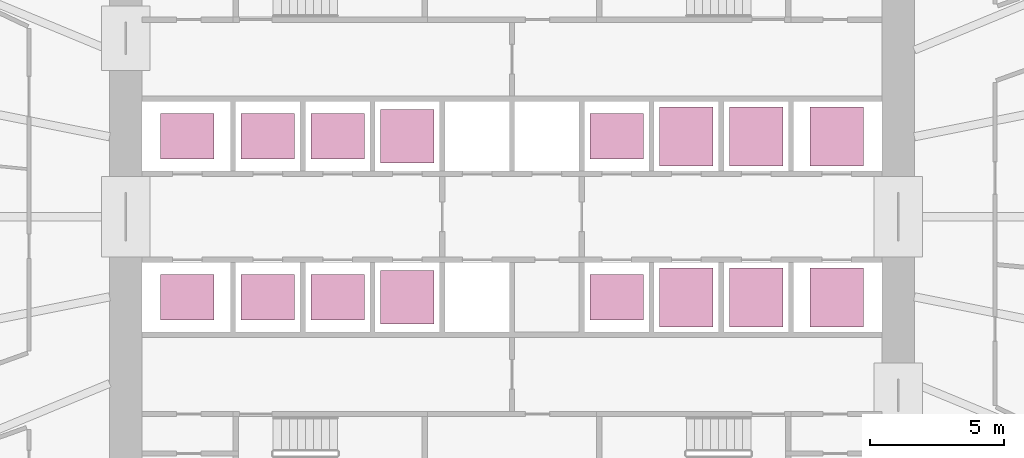
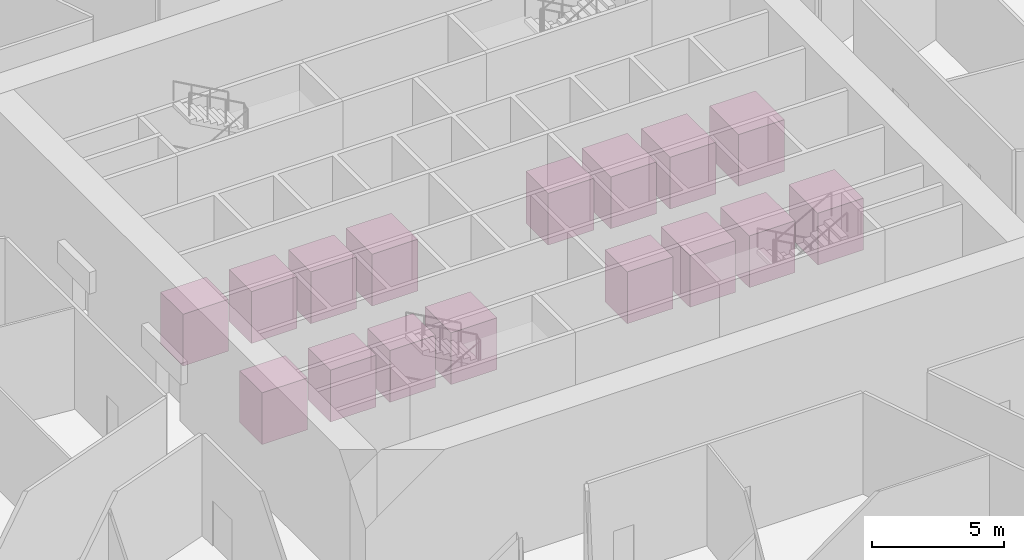
# One storey, part 33 of 33: 16 transport elements.
"""IFC4 building model written with IfcOpenShell, lengths in metres."""

from ifc_helpers import new_model, si_unit, direction, frame, origin, origin_2d, place, context, subcontext, project, spatial, rectangle, extrude, material, type_object, element, save


model = new_model("IFC4")

# Units and contexts
model_context = context("Model", 3, precision=1e-05, world=origin(), true_north=direction((0.0, 1.0)))
body_context = subcontext(model_context, "Body", "Model", "MODEL_VIEW")
ifc_project = project(units=[si_unit("LENGTHUNIT", "METRE"), si_unit("AREAUNIT", "SQUARE_METRE"), si_unit("VOLUMEUNIT", "CUBIC_METRE"), si_unit("PLANEANGLEUNIT", "RADIAN"), si_unit("MASSUNIT", "GRAM", prefix="KILO")], contexts=[model_context])

# Site, building, storey
site_placement = place(None, origin())
site = spatial("IfcSite", under=ifc_project, at=site_placement, CompositionType="ELEMENT")
building_placement = place(site_placement, origin())
building = spatial("IfcBuilding", under=site, at=building_placement, Name="Corvane Civic Tower", CompositionType="ELEMENT")
storey_placement = place(building_placement, origin())
storey = spatial("IfcBuildingStorey", under=building, at=storey_placement, Name="G", CompositionType="ELEMENT", Elevation=0.0)

# Transport elements
ifc_material_1 = material(Name="Stainless steel 316 car", Category="steel")
transport_element_type_1 = type_object("IfcTransportElementType", Name="LIFT-CAR-2000X1700", PredefinedType="ELEVATOR", material=ifc_material_1)
for number, where, z_axis, x_axis, name in (
    (1, (-9.10009765625, 3.0, 0.0), (0.0, 0.0, 1.0), (1.0, 0.0, 0.0), "Low-rise lift 1"),
    (2, (-6.5, 3.0, 0.0), (0.0, 0.0, 1.0), (1.0, 0.0, 0.0), "Low-rise lift 2"),
    (3, (-9.10009765625, -3.0, 0.0), (0.0, 0.0, 1.0), (1.0, 0.0, 0.0), "Low-rise lift 3"),
    (4, (-6.5, -3.0, 0.0), (0.0, 0.0, 1.0), (1.0, 0.0, 0.0), "Low-rise lift 4"),
    (5, (-12.10009765625, 3.0, 0.0), (0.0, 0.0, 1.0), (1.0, 0.0, 0.0), "Low-rise lift 5"),
    (6, (-12.10009765625, -3.0, 0.0), (0.0, 0.0, 1.0), (1.0, 0.0, 0.0), "Low-rise lift 6"),
    (7, (3.89990234375, 3.0, 0.0), (0.0, 0.0, 1.0), (1.0, 0.0, 0.0), "Low-rise lift 7"),
    (8, (3.89990234375, -3.0, 0.0), (0.0, 0.0, 1.0), (1.0, 0.0, 0.0), "Low-rise lift 8"),
):
    element("IfcTransportElement", number, at=place(storey_placement, frame(where, z_axis=z_axis, x_axis=x_axis)), inside=storey, type_object=transport_element_type_1, Name=name, PredefinedType="ELEVATOR", context=body_context, shape_type="SweptSolid", body=[
        extrude(rectangle(XDim=2.0, YDim=1.699951171875, at=origin_2d()), origin(), (0.0, 0.0, 1.0), 2.39990234375),
    ])
ifc_material_2 = material(Name="Stainless steel 316 car", Category="steel")
transport_element_type_2 = type_object("IfcTransportElementType", Name="LIFT-CAR-2000X2000", PredefinedType="ELEVATOR", material=ifc_material_2)
for number, where, z_axis, x_axis, name in (
    (9, (-3.89990234375, 3.0, 0.0), (0.0, 0.0, 1.0), (1.0, 0.0, 0.0), "Observation lift 1"),
    (10, (-3.89990234375, -3.0, 0.0), (0.0, 0.0, 1.0), (1.0, 0.0, 0.0), "Observation lift 2"),
):
    element("IfcTransportElement", number, at=place(storey_placement, frame(where, z_axis=z_axis, x_axis=x_axis)), inside=storey, type_object=transport_element_type_2, Name=name, PredefinedType="ELEVATOR", context=body_context, shape_type="SweptSolid", body=[
        extrude(rectangle(XDim=2.0, YDim=2.0, at=origin_2d()), origin(), (0.0, 0.0, 1.0), 2.39990234375),
    ])
ifc_material_3 = material(Name="Stainless steel 316 car", Category="steel")
transport_element_type_3 = type_object("IfcTransportElementType", Name="LIFT-CAR-2000X2200", PredefinedType="ELEVATOR", material=ifc_material_3)
for number, where, z_axis, x_axis, name in (
    (11, (12.10009765625, 3.0, 0.0), (0.0, 0.0, 1.0), (1.0, 0.0, 0.0), "Sky lobby shuttle A1"),
    (12, (9.10009765625, -3.0, 0.0), (0.0, 0.0, 1.0), (1.0, 0.0, 0.0), "Sky lobby shuttle A2"),
    (13, (12.10009765625, -3.0, 0.0), (0.0, 0.0, 1.0), (1.0, 0.0, 0.0), "Sky lobby shuttle A3"),
    (14, (6.5, 3.0, 0.0), (0.0, 0.0, 1.0), (1.0, 0.0, 0.0), "Sky lobby shuttle B1"),
    (15, (9.10009765625, 3.0, 0.0), (0.0, 0.0, 1.0), (1.0, 0.0, 0.0), "Sky lobby shuttle B2"),
    (16, (6.5, -3.0, 0.0), (0.0, 0.0, 1.0), (1.0, 0.0, 0.0), "Sky lobby shuttle B3"),
):
    element("IfcTransportElement", number, at=place(storey_placement, frame(where, z_axis=z_axis, x_axis=x_axis)), inside=storey, type_object=transport_element_type_3, Name=name, PredefinedType="ELEVATOR", context=body_context, shape_type="SweptSolid", body=[
        extrude(rectangle(XDim=2.0, YDim=2.199951171875, at=origin_2d()), origin(), (0.0, 0.0, 1.0), 2.39990234375),
    ])

save(model, "model.ifc")
